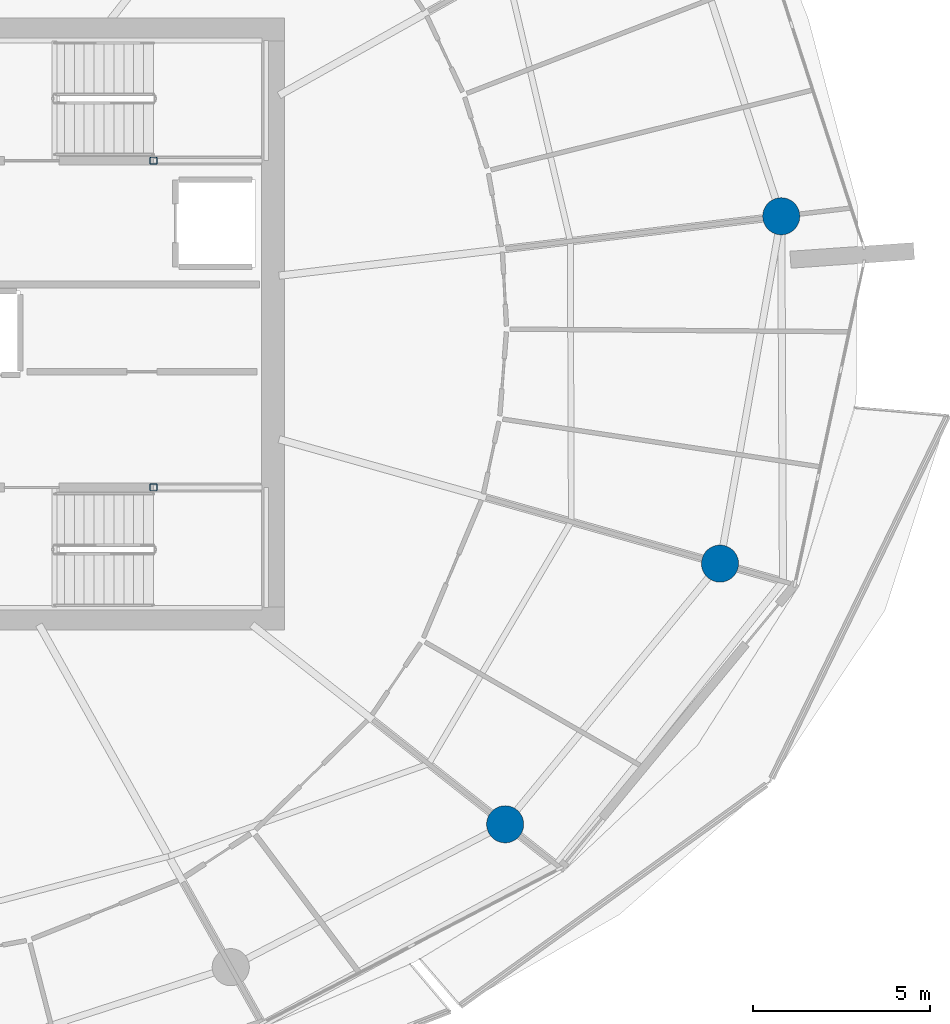
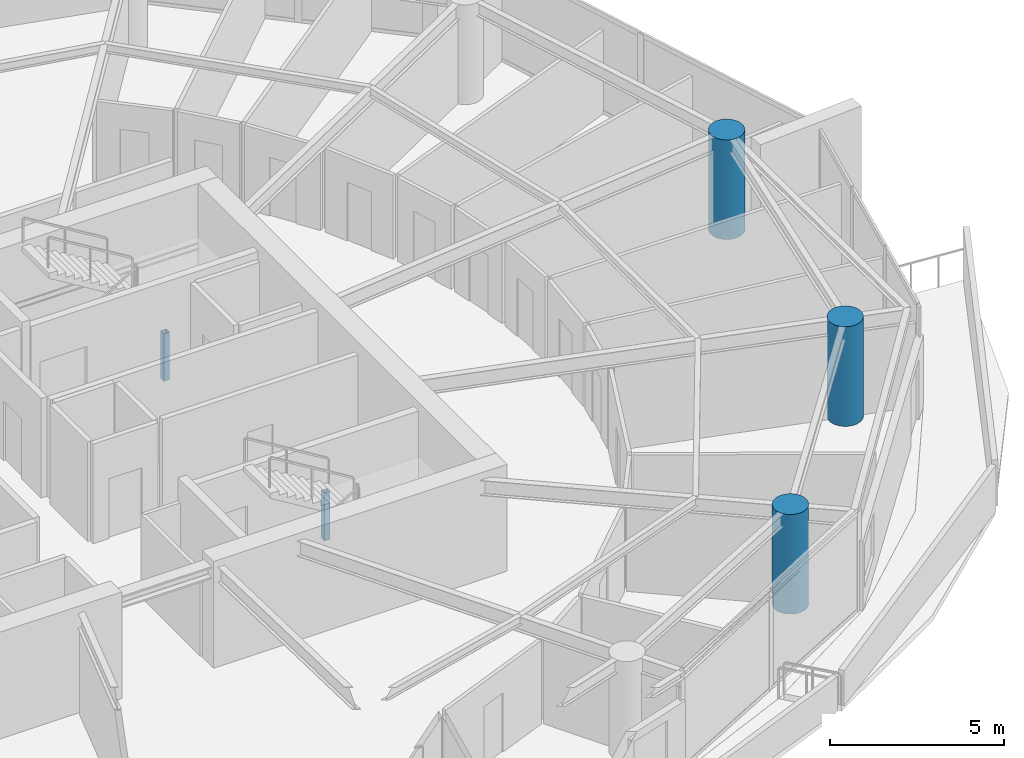
# One storey, part 3 of 21: 5 columns.
"""IFC4 building model written with IfcOpenShell, lengths in metres."""

from ifc_helpers import new_model, si_unit, direction, frame, origin, origin_2d, place, context, subcontext, project, spatial, hollow_rectangle, circle, extrude, material, material_profile, profile_set, type_object, element, save


model = new_model("IFC4")

# Units and contexts
model_context = context("Model", 3, precision=1e-05, world=origin(), true_north=direction((0.0, 1.0)))
body_context = subcontext(model_context, "Body", "Model", "MODEL_VIEW")
ifc_project = project(units=[si_unit("LENGTHUNIT", "METRE"), si_unit("AREAUNIT", "SQUARE_METRE"), si_unit("VOLUMEUNIT", "CUBIC_METRE"), si_unit("PLANEANGLEUNIT", "RADIAN"), si_unit("MASSUNIT", "GRAM", prefix="KILO")], contexts=[model_context])

# Site, building, storey
site_placement = place(None, origin())
site = spatial("IfcSite", under=ifc_project, at=site_placement, CompositionType="ELEMENT")
building_placement = place(site_placement, origin())
building = spatial("IfcBuilding", under=site, at=building_placement, Name="Kazma Halo Residences", CompositionType="ELEMENT")
storey_placement = place(building_placement, frame((0.0, 0.0, 180.300048828125)))
storey = spatial("IfcBuildingStorey", under=building, at=storey_placement, Name="L45", CompositionType="ELEMENT", Elevation=180.300048828125)

# Columns
ifc_material_1 = material(Name="Steel S355", Category="steel")
ifc_material_profile_1 = material_profile(ifc_material_1, hollow_rectangle(XDim=0.199951171875, YDim=0.199951171875, WallThickness=0.010009765625, InnerFilletRadius=0.010009765625, OuterFilletRadius=0.02001953125, at=origin_2d()), Name="SHS200x200x10")
ifc_profile_set_1 = profile_set([ifc_material_profile_1], Name="Steel S355")
column_type_1 = type_object("IfcColumnType", Name="COL-LP-SHS200", PredefinedType="COLUMN", material=ifc_profile_set_1)
for number, where, z_axis, x_axis, name in (
    (1, (56.0, 46.6201171875, 0.0), (0.0, 0.0, 1.0), (1.0, 0.0, 0.0), "L45 ST-02 landing pilaster 1"),
    (2, (56.0, 37.3798828125, 0.0), (0.0, 0.0, 1.0), (1.0, 0.0, 0.0), "L45 ST-03 landing pilaster 1"),
):
    element("IfcColumn", number, at=place(storey_placement, frame(where, z_axis=z_axis, x_axis=x_axis)), inside=storey, type_object=column_type_1, Name=name, PredefinedType="COLUMN", context=body_context, shape_type="SweptSolid", body=[
        extrude(hollow_rectangle(XDim=0.199951171875, YDim=0.199951171875, WallThickness=0.010009765625, InnerFilletRadius=0.010009765625, OuterFilletRadius=0.02001953125, at=origin_2d()), origin(), (0.0, 0.0, 1.0), 1.669921875),
    ])
ifc_material_2 = material(Name="Concrete C80/95", Category="concrete")
ifc_material_profile_2 = material_profile(ifc_material_2, circle(Radius=0.52490234375, at=origin_2d()), Name="CIRC1050")
ifc_profile_set_2 = profile_set([ifc_material_profile_2], Name="Concrete C80/95")
column_type_2 = type_object("IfcColumnType", Name="COL-PERIM-1050", PredefinedType="COLUMN", material=ifc_profile_set_2)
for number, where, z_axis, x_axis, name in (
    (3, (65.944091796875, 27.85400390625, 0.0), (0.0, 0.0, 1.0), (1.0, 0.0, 0.0), "L45 perimeter ring column P14"),
    (4, (72.019775390625, 35.2255859375, 0.0), (0.0, 0.0, 1.0), (1.0, 0.0, 0.0), "L45 perimeter ring column P15"),
    (5, (73.751708984375, 45.0478515625, 0.0), (0.0, 0.0, 1.0), (1.0, 0.0, 0.0), "L45 perimeter ring column P16"),
):
    element("IfcColumn", number, at=place(storey_placement, frame(where, z_axis=z_axis, x_axis=x_axis)), inside=storey, type_object=column_type_2, Name=name, PredefinedType="COLUMN", context=body_context, shape_type="SweptSolid", body=[
        extrude(circle(Radius=0.52490234375, at=origin_2d()), origin(), (0.0, 0.0, 1.0), 3.5),
    ])

save(model, "model.ifc")
